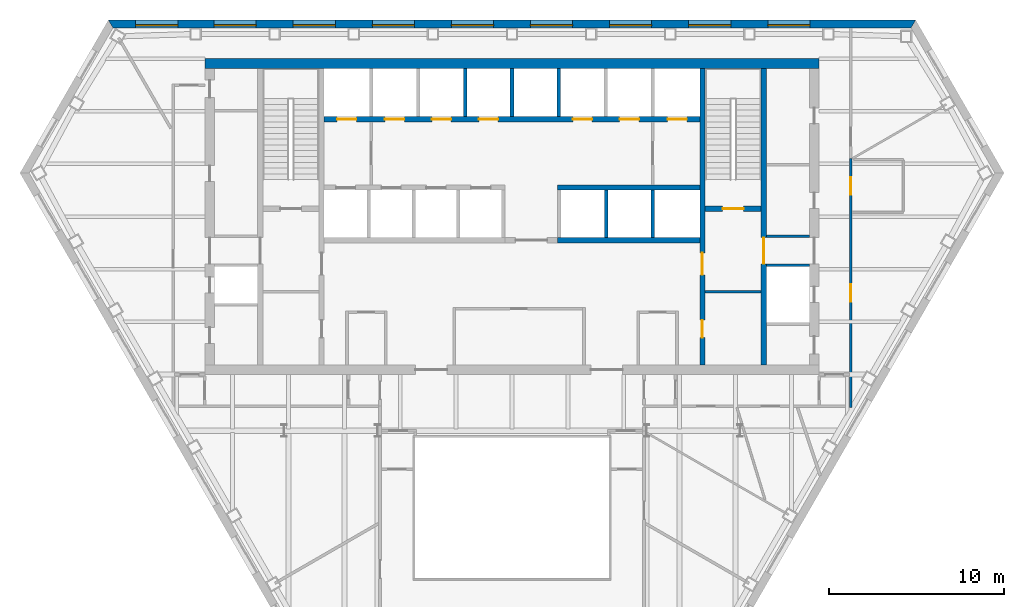
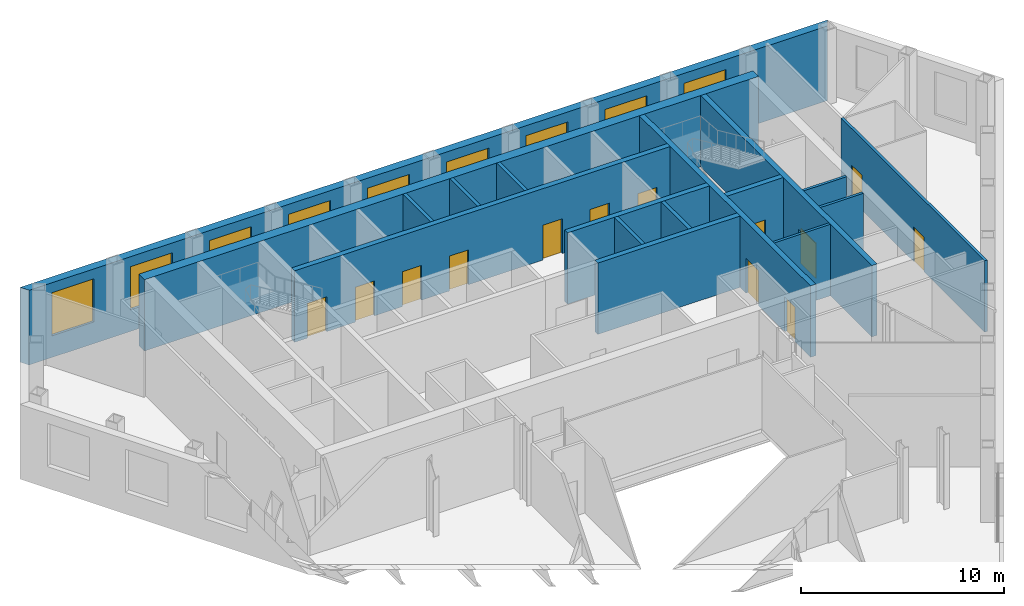
# One storey, part 7 of 11: 17 walls, 13 doors, 9 windows, 22 openings.
"""IFC4 building model written with IfcOpenShell, lengths in metres."""

from ifc_helpers import new_model, si_unit, direction, frame, frame_2d, origin, place, context, subcontext, project, spatial, polyline, rectangle, outline, extrude, material, layer, layer_set, type_object, element, fill, save


model = new_model("IFC4")

# Units and contexts
model_context = context("Model", 3, precision=1e-05, world=origin(), true_north=direction((0.0, 1.0)))
body_context = subcontext(model_context, "Body", "Model", "MODEL_VIEW")
ifc_project = project(units=[si_unit("LENGTHUNIT", "METRE"), si_unit("AREAUNIT", "SQUARE_METRE"), si_unit("VOLUMEUNIT", "CUBIC_METRE"), si_unit("PLANEANGLEUNIT", "RADIAN"), si_unit("MASSUNIT", "GRAM", prefix="KILO")], contexts=[model_context])

# Site, building, storey
site_placement = place(None, origin())
site = spatial("IfcSite", under=ifc_project, at=site_placement, CompositionType="ELEMENT")
building_placement = place(site_placement, origin())
building = spatial("IfcBuilding", under=site, at=building_placement, Name="Njiva Tower", CompositionType="ELEMENT")
storey_placement = place(building_placement, frame((0.0, 0.0, 102.3)))
storey = spatial("IfcBuildingStorey", under=building, at=storey_placement, Name="L21", CompositionType="ELEMENT", Elevation=102.3)

# Wall
ifc_material_1 = material(Name="Blockwork", Category="masonry")
ifc_layer_1 = layer(ifc_material_1, 0.15)
ifc_layer_set_1 = layer_set([ifc_layer_1], Name="Blockwork")
wall_type_1 = type_object("IfcWallType", Name="WT1 Compartment partition 150", PredefinedType="PARTITIONING", material=ifc_layer_set_1)
wall_1_placement = place(storey_placement, frame((11.0, 4.725, 0.0), z_axis=(0.0, 0.0, 1.0), x_axis=(1.0, 0.0, 0.0)))
element("IfcWall", 1, at=wall_1_placement, inside=storey, type_object=wall_type_1, Name="Room wall B", PredefinedType="PARTITIONING", context=body_context, shape_type="SweptSolid", body=[
    extrude(rectangle(XDim=3.2, YDim=0.15, at=frame_2d((1.6, 0.0))), origin(), (0.0, 0.0, 1.0), 4.3),
])

# Wall, openings, doors
ifc_material_2 = material(Name="Concrete C40/50", Category="concrete")
ifc_layer_2 = layer(ifc_material_2, 0.3)
ifc_layer_set_2 = layer_set([ifc_layer_2], Name="Concrete C40/50")
wall_type_2 = type_object("IfcWallType", Name="WT10 Stair enclosure wall 300", PredefinedType="SHEAR", material=ifc_layer_set_2)
wall_2_placement = place(storey_placement, frame((10.85, 0.55, 0.0), z_axis=(0.0, 0.0, 1.0), x_axis=(0.0, 1.0, 0.0)))
wall_2 = element("IfcWall", 2, at=wall_2_placement, inside=storey, type_object=wall_type_2, Name="Stair wall east inner", PredefinedType="SHEAR", context=body_context, shape_type="SweptSolid", body=[
    extrude(rectangle(XDim=16.9, YDim=0.3, at=frame_2d((8.45, 0.0))), origin(), (0.0, 0.0, 1.0), 4.3),
])
opening_1_placement = place(wall_2_placement, frame((5.125, 0.0, 0.0)))
opening_1 = element("IfcOpeningElement", 3, at=opening_1_placement, cuts=wall_2, Name="Opening S07-D918", PredefinedType="OPENING", context=body_context, shape_type="SweptSolid", body=[
    extrude(rectangle(XDim=1.25, YDim=2.1, at=frame_2d((0.625, 1.05))), frame((0.0, 0.16, 0.0), z_axis=(0.0, -1.0, 0.0), x_axis=(1.0, 0.0, 0.0)), (0.0, 0.0, 1.0), 0.32),
])
opening_2_placement = place(wall_2_placement, frame((1.55, 0.0, 0.0)))
opening_2 = element("IfcOpeningElement", 4, at=opening_2_placement, cuts=wall_2, Name="Opening S07-D919", PredefinedType="OPENING", context=body_context, shape_type="SweptSolid", body=[
    extrude(rectangle(XDim=1.0, YDim=2.1, at=frame_2d((0.5, 1.05))), frame((0.0, 0.16, 0.0), z_axis=(0.0, -1.0, 0.0), x_axis=(1.0, 0.0, 0.0)), (0.0, 0.0, 1.0), 0.32),
])
ifc_material_3 = material(Name="Steel door, painted", Category="steel")
door_type_1 = type_object("IfcDoorType", Name="D5 Steel door 1000x2100", OperationType="SINGLE_SWING_LEFT", PredefinedType="DOOR", material=ifc_material_3)
door_1_placement = place(opening_2_placement, origin())
door_1 = element("IfcDoor", 5, at=door_1_placement, inside=storey, type_object=door_type_1, Name="Breakout room door", OperationType="SINGLE_SWING_LEFT", OverallHeight=2.1, OverallWidth=1.0, PredefinedType="DOOR", context=body_context, shape_type="SweptSolid", body=[
    extrude(rectangle(XDim=1.0, YDim=2.1, at=frame_2d((0.5, 1.05))), frame((0.0, 0.025, 0.0), z_axis=(0.0, -1.0, 0.0), x_axis=(1.0, 0.0, 0.0)), (0.0, 0.0, 1.0), 0.05),
])
fill(opening_2, door_1)
ifc_material_4 = material(Name="Glazed steel fire door", Category="steel")
door_type_2 = type_object("IfcDoorType", Name="D8 Vestibule corridor door 1250x2100 glazed", OperationType="SINGLE_SWING_LEFT", PredefinedType="DOOR", material=ifc_material_4)
door_2_placement = place(opening_1_placement, origin())
door_2 = element("IfcDoor", 6, at=door_2_placement, inside=storey, type_object=door_type_2, Name="Stair vestibule corridor door", OperationType="SINGLE_SWING_RIGHT", OverallHeight=2.1, OverallWidth=1.25, PredefinedType="DOOR", context=body_context, shape_type="SweptSolid", body=[
    extrude(rectangle(XDim=1.25, YDim=2.1, at=frame_2d((0.625, 1.05))), frame((0.0, 0.025, 0.0), z_axis=(0.0, -1.0, 0.0), x_axis=(1.0, 0.0, 0.0)), (0.0, 0.0, 1.0), 0.05),
])
fill(opening_1, door_2)

# Wall, opening, door
wall_3_placement = place(storey_placement, frame((14.35, 0.55, 0.0), z_axis=(0.0, 0.0, 1.0), x_axis=(0.0, 1.0, 0.0)))
wall_3 = element("IfcWall", 7, at=wall_3_placement, inside=storey, type_object=wall_type_2, Name="Stair wall east outer", PredefinedType="SHEAR", context=body_context, shape_type="SweptSolid", body=[
    extrude(rectangle(XDim=16.9, YDim=0.3, at=frame_2d((8.45, 0.0))), origin(), (0.0, 0.0, 1.0), 4.3),
])
opening_3_placement = place(wall_3_placement, frame((5.75, 0.0, 0.0)))
opening_3 = element("IfcOpeningElement", 8, at=opening_3_placement, cuts=wall_3, Name="Opening S07-D926", PredefinedType="OPENING", context=body_context, shape_type="SweptSolid", body=[
    extrude(rectangle(XDim=1.5, YDim=2.1, at=frame_2d((0.75, 1.05))), frame((0.0, 0.16, 0.0), z_axis=(0.0, -1.0, 0.0), x_axis=(1.0, 0.0, 0.0)), (0.0, 0.0, 1.0), 0.32),
])
door_type_3 = type_object("IfcDoorType", Name="D10 Exit door double 1500x2100 glazed", OperationType="DOUBLE_DOOR_SINGLE_SWING", PredefinedType="DOOR", material=ifc_material_4)
door_3_placement = place(opening_3_placement, origin())
door_3 = element("IfcDoor", 9, at=door_3_placement, inside=storey, type_object=door_type_3, Name="Stair B passage door", OperationType="DOUBLE_DOOR_SINGLE_SWING", OverallHeight=2.1, OverallWidth=1.5, PredefinedType="DOOR", context=body_context, shape_type="SweptSolid", body=[
    extrude(rectangle(XDim=1.5, YDim=2.1, at=frame_2d((0.75, 1.05))), frame((0.0, 0.025, 0.0), z_axis=(0.0, -1.0, 0.0), x_axis=(1.0, 0.0, 0.0)), (0.0, 0.0, 1.0), 0.05),
])
fill(opening_3, door_3)

wall_4_placement = place(storey_placement, frame((11.0, 9.45, 0.0), z_axis=(0.0, 0.0, 1.0), x_axis=(1.0, 0.0, 0.0)))
wall_4 = element("IfcWall", 10, at=wall_4_placement, inside=storey, type_object=wall_type_2, Name="Stair B south wall", PredefinedType="SHEAR", context=body_context, shape_type="SweptSolid", body=[
    extrude(rectangle(XDim=3.2, YDim=0.3, at=frame_2d((1.6, 0.0))), origin(), (0.0, 0.0, 1.0), 4.3),
])
opening_4_placement = place(wall_4_placement, frame((1.0, 0.0, 0.0)))
opening_4 = element("IfcOpeningElement", 11, at=opening_4_placement, cuts=wall_4, Name="Opening S07-D917", PredefinedType="OPENING", context=body_context, shape_type="SweptSolid", body=[
    extrude(rectangle(XDim=1.2, YDim=2.1, at=frame_2d((0.6, 1.05))), frame((0.0, 0.16, 0.0), z_axis=(0.0, -1.0, 0.0), x_axis=(1.0, 0.0, 0.0)), (0.0, 0.0, 1.0), 0.32),
])
door_type_4 = type_object("IfcDoorType", Name="D7 Stair vestibule door 1200x2100 glazed", OperationType="SINGLE_SWING_LEFT", PredefinedType="DOOR", material=ifc_material_4)
door_4_placement = place(opening_4_placement, origin())
door_4 = element("IfcDoor", 12, at=door_4_placement, inside=storey, type_object=door_type_4, Name="Stair B door", OperationType="SINGLE_SWING_LEFT", OverallHeight=2.1, OverallWidth=1.2, PredefinedType="DOOR", context=body_context, shape_type="SweptSolid", body=[
    extrude(rectangle(XDim=1.2, YDim=2.1, at=frame_2d((0.6, 1.05))), frame((0.0, 0.025, 0.0), z_axis=(0.0, -1.0, 0.0), x_axis=(1.0, 0.0, 0.0)), (0.0, 0.0, 1.0), 0.05),
])
fill(opening_4, door_4)

# Wall
ifc_material_5 = material(Name="Concrete C60/75", Category="concrete")
ifc_layer_3 = layer(ifc_material_5, 0.55)
ifc_layer_set_3 = layer_set([ifc_layer_3], Name="Concrete C60/75")
wall_type_3 = type_object("IfcWallType", Name="WT14 Core wall 550", PredefinedType="SHEAR", material=ifc_layer_set_3)
wall_5_placement = place(storey_placement, frame((-17.5, 17.725, 0.0), z_axis=(0.0, 0.0, 1.0), x_axis=(1.0, 0.0, 0.0)))
element("IfcWall", 13, at=wall_5_placement, inside=storey, type_object=wall_type_3, Name="Core wall north", PredefinedType="SHEAR", context=body_context, shape_type="SweptSolid", body=[
    extrude(rectangle(XDim=35.0, YDim=0.55, at=frame_2d((17.5, 0.0))), origin(), (0.0, 0.0, 1.0), 4.3),
])

# Wall, openings, doors
ifc_material_6 = material(Name="Gypsum board on steel studs", Category="gypsum")
ifc_layer_4 = layer(ifc_material_6, 0.15)
ifc_layer_set_4 = layer_set([ifc_layer_4], Name="Gypsum board on steel studs")
wall_type_4 = type_object("IfcWallType", Name="WT21 Compartment wall 150", PredefinedType="PARTITIONING", material=ifc_layer_set_4)
wall_6_placement = place(storey_placement, frame((19.3, -1.875, 0.0), z_axis=(0.0, 0.0, 1.0), x_axis=(0.0, 1.0, 0.0)))
wall_6 = element("IfcWall", 14, at=wall_6_placement, inside=storey, type_object=wall_type_4, Name="Partition S07-P030", PredefinedType="PARTITIONING", context=body_context, shape_type="SweptSolid", body=[
    extrude(rectangle(XDim=14.173, YDim=0.15, at=frame_2d((7.0865, 0.0))), origin(), (0.0, 0.0, 1.0), 4.3),
])
opening_5_placement = place(wall_6_placement, frame((6.011, 0.0, 0.0)))
opening_5 = element("IfcOpeningElement", 15, at=opening_5_placement, cuts=wall_6, Name="Opening S07-D019", PredefinedType="OPENING", context=body_context, shape_type="SweptSolid", body=[
    extrude(rectangle(XDim=1.0, YDim=2.1, at=frame_2d((0.5, 1.05))), frame((0.0, 0.085, 0.0), z_axis=(0.0, -1.0, 0.0), x_axis=(1.0, 0.0, 0.0)), (0.0, 0.0, 1.0), 0.17),
])
opening_6_placement = place(wall_6_placement, frame((12.123, 0.0, 0.0)))
opening_6 = element("IfcOpeningElement", 16, at=opening_6_placement, cuts=wall_6, Name="Opening S07-D020", PredefinedType="OPENING", context=body_context, shape_type="SweptSolid", body=[
    extrude(rectangle(XDim=1.0, YDim=2.1, at=frame_2d((0.5, 1.05))), frame((0.0, 0.085, 0.0), z_axis=(0.0, -1.0, 0.0), x_axis=(1.0, 0.0, 0.0)), (0.0, 0.0, 1.0), 0.17),
])
ifc_material_7 = material(Name="Steel fire door set", Category="steel")
door_type_5 = type_object("IfcDoorType", Name="D37 Fire door 1000x2100", OperationType="SINGLE_SWING_LEFT", PredefinedType="DOOR", material=ifc_material_7)
door_5_placement = place(opening_5_placement, origin())
door_5 = element("IfcDoor", 17, at=door_5_placement, inside=storey, type_object=door_type_5, Name="Door S07-D019", OperationType="SINGLE_SWING_LEFT", OverallHeight=2.1, OverallWidth=1.0, PredefinedType="DOOR", context=body_context, shape_type="SweptSolid", body=[
    extrude(rectangle(XDim=1.0, YDim=2.1, at=frame_2d((0.5, 1.05))), frame((0.0, 0.025, 0.0), z_axis=(0.0, -1.0, 0.0), x_axis=(1.0, 0.0, 0.0)), (0.0, 0.0, 1.0), 0.05),
])
fill(opening_5, door_5)
door_6_placement = place(opening_6_placement, origin())
door_6 = element("IfcDoor", 18, at=door_6_placement, inside=storey, type_object=door_type_5, Name="Door S07-D020", OperationType="SINGLE_SWING_RIGHT", OverallHeight=2.1, OverallWidth=1.0, PredefinedType="DOOR", context=body_context, shape_type="SweptSolid", body=[
    extrude(rectangle(XDim=1.0, YDim=2.1, at=frame_2d((0.5, 1.05))), frame((0.0, 0.025, 0.0), z_axis=(0.0, -1.0, 0.0), x_axis=(1.0, 0.0, 0.0)), (0.0, 0.0, 1.0), 0.05),
])
fill(opening_6, door_6)

# Walls
ifc_layer_5 = layer(ifc_material_1, 0.15)
ifc_layer_set_5 = layer_set([ifc_layer_5], Name="Blockwork")
wall_type_5 = type_object("IfcWallType", Name="WT4 Stair partition 150", PredefinedType="PARTITIONING", material=ifc_layer_set_5)
for number, where, z_axis, x_axis, name in (
    (19, (14.5, 6.225, 0.0), (0.0, 0.0, 1.0), (1.0, 0.0, 0.0), "Stair B exit passage wall south"),
    (20, (14.5, 7.875, 0.0), (0.0, 0.0, 1.0), (1.0, 0.0, 0.0), "Stair B exit passage wall north"),
):
    element("IfcWall", number, at=place(storey_placement, frame(where, z_axis=z_axis, x_axis=x_axis)), inside=storey, type_object=wall_type_5, Name=name, PredefinedType="PARTITIONING", context=body_context, shape_type="SweptSolid", body=[
        extrude(rectangle(XDim=2.45, YDim=0.15, at=frame_2d((1.225, 0.0))), origin(), (0.0, 0.0, 1.0), 4.3),
    ])
ifc_layer_6 = layer(ifc_material_2, 0.2)
ifc_layer_set_6 = layer_set([ifc_layer_6], Name="Concrete C40/50")
wall_type_6 = type_object("IfcWallType", Name="WT6 Lift shaft wall 200", PredefinedType="SHEAR", material=ifc_layer_set_6)
for number, where, z_axis, x_axis, name in (
    (21, (-2.675, 14.7, 0.0), (0.0, 0.0, 1.0), (0.0, 1.0, 0.0), "Shaft wall CN3"),
    (22, (0.0, 14.7, 0.0), (0.0, 0.0, 1.0), (0.0, 1.0, 0.0), "Shaft wall CN4"),
    (23, (2.675, 14.7, 0.0), (0.0, 0.0, 1.0), (0.0, 1.0, 0.0), "Shaft wall CN5"),
):
    element("IfcWall", number, at=place(storey_placement, frame(where, z_axis=z_axis, x_axis=x_axis)), inside=storey, type_object=wall_type_6, Name=name, PredefinedType="SHEAR", context=body_context, shape_type="SweptSolid", body=[
        extrude(rectangle(XDim=2.75, YDim=0.2, at=frame_2d((1.375, 0.0))), origin(), (0.0, 0.0, 1.0), 4.3),
    ])
for number, where, z_axis, x_axis, name in (
    (24, (5.3667, 7.8, 0.0), (0.0, 0.0, 1.0), (0.0, 1.0, 0.0), "Shaft wall CS6"),
    (25, (8.0333, 7.8, 0.0), (0.0, 0.0, 1.0), (0.0, 1.0, 0.0), "Shaft wall CS7"),
):
    element("IfcWall", number, at=place(storey_placement, frame(where, z_axis=z_axis, x_axis=x_axis)), inside=storey, type_object=wall_type_6, Name=name, PredefinedType="SHEAR", context=body_context, shape_type="SweptSolid", body=[
        extrude(rectangle(XDim=2.7, YDim=0.2, at=frame_2d((1.35, 0.0))), origin(), (0.0, 0.0, 1.0), 4.3),
    ])

# Wall, openings, doors
ifc_layer_7 = layer(ifc_material_2, 0.3)
ifc_layer_set_7 = layer_set([ifc_layer_7], Name="Concrete C40/50")
wall_type_7 = type_object("IfcWallType", Name="WT7 Lift shaft wall 300", PredefinedType="SHEAR", material=ifc_layer_set_7)
wall_7_placement = place(storey_placement, frame((-10.7, 14.55, 0.0), z_axis=(0.0, 0.0, 1.0), x_axis=(1.0, 0.0, 0.0)))
wall_7 = element("IfcWall", 26, at=wall_7_placement, inside=storey, type_object=wall_type_7, Name="Shaft wall north row lobby side", PredefinedType="SHEAR", context=body_context, shape_type="SweptSolid", body=[
    extrude(rectangle(XDim=21.4, YDim=0.3, at=frame_2d((10.7, 0.0))), origin(), (0.0, 0.0, 1.0), 4.3),
])
opening_7_placement = place(wall_7_placement, frame((0.7375, 0.0, 0.0)))
opening_7 = element("IfcOpeningElement", 27, at=opening_7_placement, cuts=wall_7, Name="Opening S07-D901", PredefinedType="OPENING", context=body_context, shape_type="SweptSolid", body=[
    extrude(rectangle(XDim=1.1, YDim=2.1, at=frame_2d((0.55, 1.05))), frame((0.0, 0.16, 0.0), z_axis=(0.0, -1.0, 0.0), x_axis=(1.0, 0.0, 0.0)), (0.0, 0.0, 1.0), 0.32),
])
opening_8_placement = place(wall_7_placement, frame((3.4625, 0.0, 0.0)))
opening_8 = element("IfcOpeningElement", 28, at=opening_8_placement, cuts=wall_7, Name="Opening S07-D902", PredefinedType="OPENING", context=body_context, shape_type="SweptSolid", body=[
    extrude(rectangle(XDim=1.1, YDim=2.1, at=frame_2d((0.55, 1.05))), frame((0.0, 0.16, 0.0), z_axis=(0.0, -1.0, 0.0), x_axis=(1.0, 0.0, 0.0)), (0.0, 0.0, 1.0), 0.32),
])
opening_9_placement = place(wall_7_placement, frame((6.1375, 0.0, 0.0)))
opening_9 = element("IfcOpeningElement", 29, at=opening_9_placement, cuts=wall_7, Name="Opening S07-D903", PredefinedType="OPENING", context=body_context, shape_type="SweptSolid", body=[
    extrude(rectangle(XDim=1.1, YDim=2.1, at=frame_2d((0.55, 1.05))), frame((0.0, 0.16, 0.0), z_axis=(0.0, -1.0, 0.0), x_axis=(1.0, 0.0, 0.0)), (0.0, 0.0, 1.0), 0.32),
])
opening_10_placement = place(wall_7_placement, frame((8.8125, 0.0, 0.0)))
opening_10 = element("IfcOpeningElement", 30, at=opening_10_placement, cuts=wall_7, Name="Opening S07-D904", PredefinedType="OPENING", context=body_context, shape_type="SweptSolid", body=[
    extrude(rectangle(XDim=1.1, YDim=2.1, at=frame_2d((0.55, 1.05))), frame((0.0, 0.16, 0.0), z_axis=(0.0, -1.0, 0.0), x_axis=(1.0, 0.0, 0.0)), (0.0, 0.0, 1.0), 0.32),
])
opening_11_placement = place(wall_7_placement, frame((14.1625, 0.0, 0.0)))
opening_11 = element("IfcOpeningElement", 31, at=opening_11_placement, cuts=wall_7, Name="Opening S07-D905", PredefinedType="OPENING", context=body_context, shape_type="SweptSolid", body=[
    extrude(rectangle(XDim=1.1, YDim=2.1, at=frame_2d((0.55, 1.05))), frame((0.0, 0.16, 0.0), z_axis=(0.0, -1.0, 0.0), x_axis=(1.0, 0.0, 0.0)), (0.0, 0.0, 1.0), 0.32),
])
opening_12_placement = place(wall_7_placement, frame((16.8375, 0.0, 0.0)))
opening_12 = element("IfcOpeningElement", 32, at=opening_12_placement, cuts=wall_7, Name="Opening S07-D906", PredefinedType="OPENING", context=body_context, shape_type="SweptSolid", body=[
    extrude(rectangle(XDim=1.1, YDim=2.1, at=frame_2d((0.55, 1.05))), frame((0.0, 0.16, 0.0), z_axis=(0.0, -1.0, 0.0), x_axis=(1.0, 0.0, 0.0)), (0.0, 0.0, 1.0), 0.32),
])
opening_13_placement = place(wall_7_placement, frame((19.5625, 0.0, 0.0)))
opening_13 = element("IfcOpeningElement", 33, at=opening_13_placement, cuts=wall_7, Name="Opening S07-D907", PredefinedType="OPENING", context=body_context, shape_type="SweptSolid", body=[
    extrude(rectangle(XDim=1.1, YDim=2.1, at=frame_2d((0.55, 1.05))), frame((0.0, 0.16, 0.0), z_axis=(0.0, -1.0, 0.0), x_axis=(1.0, 0.0, 0.0)), (0.0, 0.0, 1.0), 0.32),
])
ifc_material_8 = material(Name="Stainless steel sliding door", Category="steel")
door_type_6 = type_object("IfcDoorType", Name="LD Lift landing door 1100x2100", OperationType="SLIDING_TO_LEFT", PredefinedType="DOOR", material=ifc_material_8)
door_7_placement = place(opening_7_placement, origin())
door_7 = element("IfcDoor", 34, at=door_7_placement, inside=storey, type_object=door_type_6, Name="Lift landing door FF1", OperationType="SLIDING_TO_LEFT", OverallHeight=2.1, OverallWidth=1.1, PredefinedType="DOOR", context=body_context, shape_type="SweptSolid", body=[
    extrude(rectangle(XDim=1.1, YDim=2.1, at=frame_2d((0.55, 1.05))), frame((0.0, 0.025, 0.0), z_axis=(0.0, -1.0, 0.0), x_axis=(1.0, 0.0, 0.0)), (0.0, 0.0, 1.0), 0.05),
])
fill(opening_7, door_7)
door_8_placement = place(opening_8_placement, origin())
door_8 = element("IfcDoor", 35, at=door_8_placement, inside=storey, type_object=door_type_6, Name="Lift landing door LB1", OperationType="SLIDING_TO_LEFT", OverallHeight=2.1, OverallWidth=1.1, PredefinedType="DOOR", context=body_context, shape_type="SweptSolid", body=[
    extrude(rectangle(XDim=1.1, YDim=2.1, at=frame_2d((0.55, 1.05))), frame((0.0, 0.025, 0.0), z_axis=(0.0, -1.0, 0.0), x_axis=(1.0, 0.0, 0.0)), (0.0, 0.0, 1.0), 0.05),
])
fill(opening_8, door_8)
door_9_placement = place(opening_9_placement, origin())
door_9 = element("IfcDoor", 36, at=door_9_placement, inside=storey, type_object=door_type_6, Name="Lift landing door LB2", OperationType="SLIDING_TO_LEFT", OverallHeight=2.1, OverallWidth=1.1, PredefinedType="DOOR", context=body_context, shape_type="SweptSolid", body=[
    extrude(rectangle(XDim=1.1, YDim=2.1, at=frame_2d((0.55, 1.05))), frame((0.0, 0.025, 0.0), z_axis=(0.0, -1.0, 0.0), x_axis=(1.0, 0.0, 0.0)), (0.0, 0.0, 1.0), 0.05),
])
fill(opening_9, door_9)
door_10_placement = place(opening_10_placement, origin())
door_10 = element("IfcDoor", 37, at=door_10_placement, inside=storey, type_object=door_type_6, Name="Lift landing door LB3", OperationType="SLIDING_TO_LEFT", OverallHeight=2.1, OverallWidth=1.1, PredefinedType="DOOR", context=body_context, shape_type="SweptSolid", body=[
    extrude(rectangle(XDim=1.1, YDim=2.1, at=frame_2d((0.55, 1.05))), frame((0.0, 0.025, 0.0), z_axis=(0.0, -1.0, 0.0), x_axis=(1.0, 0.0, 0.0)), (0.0, 0.0, 1.0), 0.05),
])
fill(opening_10, door_10)
door_11_placement = place(opening_11_placement, origin())
door_11 = element("IfcDoor", 38, at=door_11_placement, inside=storey, type_object=door_type_6, Name="Lift landing door FR1", OperationType="SLIDING_TO_LEFT", OverallHeight=2.1, OverallWidth=1.1, PredefinedType="DOOR", context=body_context, shape_type="SweptSolid", body=[
    extrude(rectangle(XDim=1.1, YDim=2.1, at=frame_2d((0.55, 1.05))), frame((0.0, 0.025, 0.0), z_axis=(0.0, -1.0, 0.0), x_axis=(1.0, 0.0, 0.0)), (0.0, 0.0, 1.0), 0.05),
])
fill(opening_11, door_11)
door_12_placement = place(opening_12_placement, origin())
door_12 = element("IfcDoor", 39, at=door_12_placement, inside=storey, type_object=door_type_6, Name="Lift landing door FR2", OperationType="SLIDING_TO_LEFT", OverallHeight=2.1, OverallWidth=1.1, PredefinedType="DOOR", context=body_context, shape_type="SweptSolid", body=[
    extrude(rectangle(XDim=1.1, YDim=2.1, at=frame_2d((0.55, 1.05))), frame((0.0, 0.025, 0.0), z_axis=(0.0, -1.0, 0.0), x_axis=(1.0, 0.0, 0.0)), (0.0, 0.0, 1.0), 0.05),
])
fill(opening_12, door_12)
door_13_placement = place(opening_13_placement, origin())
door_13 = element("IfcDoor", 40, at=door_13_placement, inside=storey, type_object=door_type_6, Name="Lift landing door FF2", OperationType="SLIDING_TO_LEFT", OverallHeight=2.1, OverallWidth=1.1, PredefinedType="DOOR", context=body_context, shape_type="SweptSolid", body=[
    extrude(rectangle(XDim=1.1, YDim=2.1, at=frame_2d((0.55, 1.05))), frame((0.0, 0.025, 0.0), z_axis=(0.0, -1.0, 0.0), x_axis=(1.0, 0.0, 0.0)), (0.0, 0.0, 1.0), 0.05),
])
fill(opening_13, door_13)

# Walls
for number, where, z_axis, x_axis, name in (
    (41, (2.6, 10.65, 0.0), (0.0, 0.0, 1.0), (1.0, 0.0, 0.0), "Shaft wall south row lobby side E"),
    (42, (2.6, 7.65, 0.0), (0.0, 0.0, 1.0), (1.0, 0.0, 0.0), "Shaft wall south row back E"),
):
    element("IfcWall", number, at=place(storey_placement, frame(where, z_axis=z_axis, x_axis=x_axis)), inside=storey, type_object=wall_type_7, Name=name, PredefinedType="SHEAR", context=body_context, shape_type="SweptSolid", body=[
        extrude(rectangle(XDim=8.1, YDim=0.3, at=frame_2d((4.05, 0.0))), origin(), (0.0, 0.0, 1.0), 4.3),
    ])

# Wall, openings, windows
ifc_material_9 = material(Name="Brick masonry", Category="masonry")
ifc_layer_8 = layer(ifc_material_9, 0.45)
ifc_layer_set_8 = layer_set([ifc_layer_8], Name="Brick masonry")
wall_type_8 = type_object("IfcWallType", Name="WT90 Brick pier and spandrel wall 450", PredefinedType="SOLIDWALL", material=ifc_layer_set_8)
wall_8_placement = place(storey_placement, frame((22.8701, 19.975, -0.4), z_axis=(0.0, 0.0, 1.0), x_axis=(-1.0, 0.0, 0.0)))
wall_8 = element("IfcWall", 43, at=wall_8_placement, inside=storey, type_object=wall_type_8, Name="Facade wall N", PredefinedType="SOLIDWALL", context=body_context, shape_type="SweptSolid", body=[
    extrude(outline(polyline([(-0.1299, -0.225), (45.8701, -0.225), (45.6103, 0.225), (0.1299, 0.225), (-0.1299, -0.225)])), origin(), (0.0, 0.0, 1.0), 4.5),
])
opening_14_placement = place(wall_8_placement, frame((5.8934, 0.0, 1.3)))
opening_14 = element("IfcOpeningElement", 44, at=opening_14_placement, cuts=wall_8, Name="Opening S07-W01", PredefinedType="OPENING", context=body_context, shape_type="SweptSolid", body=[
    extrude(rectangle(XDim=2.4, YDim=2.6, at=frame_2d((1.2, 1.3))), frame((0.0, 0.235, 0.0), z_axis=(0.0, -1.0, 0.0), x_axis=(1.0, 0.0, 0.0)), (0.0, 0.0, 1.0), 0.47),
])
opening_15_placement = place(wall_8_placement, frame((10.401, 0.0, 1.3)))
opening_15 = element("IfcOpeningElement", 45, at=opening_15_placement, cuts=wall_8, Name="Opening S07-W02", PredefinedType="OPENING", context=body_context, shape_type="SweptSolid", body=[
    extrude(rectangle(XDim=2.4, YDim=2.6, at=frame_2d((1.2, 1.3))), frame((0.0, 0.235, 0.0), z_axis=(0.0, -1.0, 0.0), x_axis=(1.0, 0.0, 0.0)), (0.0, 0.0, 1.0), 0.47),
])
opening_16_placement = place(wall_8_placement, frame((14.9087, 0.0, 1.3)))
opening_16 = element("IfcOpeningElement", 46, at=opening_16_placement, cuts=wall_8, Name="Opening S07-W03", PredefinedType="OPENING", context=body_context, shape_type="SweptSolid", body=[
    extrude(rectangle(XDim=2.4, YDim=2.6, at=frame_2d((1.2, 1.3))), frame((0.0, 0.235, 0.0), z_axis=(0.0, -1.0, 0.0), x_axis=(1.0, 0.0, 0.0)), (0.0, 0.0, 1.0), 0.47),
])
opening_17_placement = place(wall_8_placement, frame((19.4163, 0.0, 1.3)))
opening_17 = element("IfcOpeningElement", 47, at=opening_17_placement, cuts=wall_8, Name="Opening S07-W04", PredefinedType="OPENING", context=body_context, shape_type="SweptSolid", body=[
    extrude(rectangle(XDim=2.4, YDim=2.6, at=frame_2d((1.2, 1.3))), frame((0.0, 0.235, 0.0), z_axis=(0.0, -1.0, 0.0), x_axis=(1.0, 0.0, 0.0)), (0.0, 0.0, 1.0), 0.47),
])
opening_18_placement = place(wall_8_placement, frame((23.9239, 0.0, 1.3)))
opening_18 = element("IfcOpeningElement", 48, at=opening_18_placement, cuts=wall_8, Name="Opening S07-W05", PredefinedType="OPENING", context=body_context, shape_type="SweptSolid", body=[
    extrude(rectangle(XDim=2.4, YDim=2.6, at=frame_2d((1.2, 1.3))), frame((0.0, 0.235, 0.0), z_axis=(0.0, -1.0, 0.0), x_axis=(1.0, 0.0, 0.0)), (0.0, 0.0, 1.0), 0.47),
])
opening_19_placement = place(wall_8_placement, frame((28.4315, 0.0, 1.3)))
opening_19 = element("IfcOpeningElement", 49, at=opening_19_placement, cuts=wall_8, Name="Opening S07-W06", PredefinedType="OPENING", context=body_context, shape_type="SweptSolid", body=[
    extrude(rectangle(XDim=2.4, YDim=2.6, at=frame_2d((1.2, 1.3))), frame((0.0, 0.235, 0.0), z_axis=(0.0, -1.0, 0.0), x_axis=(1.0, 0.0, 0.0)), (0.0, 0.0, 1.0), 0.47),
])
opening_20_placement = place(wall_8_placement, frame((32.9391, 0.0, 1.3)))
opening_20 = element("IfcOpeningElement", 50, at=opening_20_placement, cuts=wall_8, Name="Opening S07-W07", PredefinedType="OPENING", context=body_context, shape_type="SweptSolid", body=[
    extrude(rectangle(XDim=2.4, YDim=2.6, at=frame_2d((1.2, 1.3))), frame((0.0, 0.235, 0.0), z_axis=(0.0, -1.0, 0.0), x_axis=(1.0, 0.0, 0.0)), (0.0, 0.0, 1.0), 0.47),
])
opening_21_placement = place(wall_8_placement, frame((37.4468, 0.0, 1.3)))
opening_21 = element("IfcOpeningElement", 51, at=opening_21_placement, cuts=wall_8, Name="Opening S07-W08", PredefinedType="OPENING", context=body_context, shape_type="SweptSolid", body=[
    extrude(rectangle(XDim=2.4, YDim=2.6, at=frame_2d((1.2, 1.3))), frame((0.0, 0.235, 0.0), z_axis=(0.0, -1.0, 0.0), x_axis=(1.0, 0.0, 0.0)), (0.0, 0.0, 1.0), 0.47),
])
opening_22_placement = place(wall_8_placement, frame((41.916, 0.0, 1.3)))
opening_22 = element("IfcOpeningElement", 52, at=opening_22_placement, cuts=wall_8, Name="Opening S07-W09", PredefinedType="OPENING", context=body_context, shape_type="SweptSolid", body=[
    extrude(rectangle(XDim=2.4, YDim=2.6, at=frame_2d((1.2, 1.3))), frame((0.0, 0.235, 0.0), z_axis=(0.0, -1.0, 0.0), x_axis=(1.0, 0.0, 0.0)), (0.0, 0.0, 1.0), 0.47),
])
ifc_material_10 = material(Name="Clear glazing in aluminium frame", Category="aluminium")
window_type = type_object("IfcWindowType", Name="W92 Deep-set window 2400x2600", PartitioningType="SINGLE_PANEL", PredefinedType="WINDOW", material=ifc_material_10)
window_1_placement = place(opening_14_placement, origin())
window_1 = element("IfcWindow", 53, at=window_1_placement, inside=storey, type_object=window_type, Name="Window", OverallHeight=2.6, OverallWidth=2.4, PartitioningType="SINGLE_PANEL", PredefinedType="WINDOW", context=body_context, shape_type="SweptSolid", body=[
    extrude(rectangle(XDim=2.4, YDim=2.6, at=frame_2d((1.2, 1.3))), frame((0.0, 0.105, 0.0), z_axis=(0.0, -1.0, 0.0), x_axis=(1.0, 0.0, 0.0)), (0.0, 0.0, 1.0), 0.06),
])
fill(opening_14, window_1)
window_2_placement = place(opening_15_placement, origin())
window_2 = element("IfcWindow", 54, at=window_2_placement, inside=storey, type_object=window_type, Name="Window", OverallHeight=2.6, OverallWidth=2.4, PartitioningType="SINGLE_PANEL", PredefinedType="WINDOW", context=body_context, shape_type="SweptSolid", body=[
    extrude(rectangle(XDim=2.4, YDim=2.6, at=frame_2d((1.2, 1.3))), frame((0.0, 0.105, 0.0), z_axis=(0.0, -1.0, 0.0), x_axis=(1.0, 0.0, 0.0)), (0.0, 0.0, 1.0), 0.06),
])
fill(opening_15, window_2)
window_3_placement = place(opening_16_placement, origin())
window_3 = element("IfcWindow", 55, at=window_3_placement, inside=storey, type_object=window_type, Name="Window", OverallHeight=2.6, OverallWidth=2.4, PartitioningType="SINGLE_PANEL", PredefinedType="WINDOW", context=body_context, shape_type="SweptSolid", body=[
    extrude(rectangle(XDim=2.4, YDim=2.6, at=frame_2d((1.2, 1.3))), frame((0.0, 0.105, 0.0), z_axis=(0.0, -1.0, 0.0), x_axis=(1.0, 0.0, 0.0)), (0.0, 0.0, 1.0), 0.06),
])
fill(opening_16, window_3)
window_4_placement = place(opening_17_placement, origin())
window_4 = element("IfcWindow", 56, at=window_4_placement, inside=storey, type_object=window_type, Name="Window", OverallHeight=2.6, OverallWidth=2.4, PartitioningType="SINGLE_PANEL", PredefinedType="WINDOW", context=body_context, shape_type="SweptSolid", body=[
    extrude(rectangle(XDim=2.4, YDim=2.6, at=frame_2d((1.2, 1.3))), frame((0.0, 0.105, 0.0), z_axis=(0.0, -1.0, 0.0), x_axis=(1.0, 0.0, 0.0)), (0.0, 0.0, 1.0), 0.06),
])
fill(opening_17, window_4)
window_5_placement = place(opening_18_placement, origin())
window_5 = element("IfcWindow", 57, at=window_5_placement, inside=storey, type_object=window_type, Name="Window", OverallHeight=2.6, OverallWidth=2.4, PartitioningType="SINGLE_PANEL", PredefinedType="WINDOW", context=body_context, shape_type="SweptSolid", body=[
    extrude(rectangle(XDim=2.4, YDim=2.6, at=frame_2d((1.2, 1.3))), frame((0.0, 0.105, 0.0), z_axis=(0.0, -1.0, 0.0), x_axis=(1.0, 0.0, 0.0)), (0.0, 0.0, 1.0), 0.06),
])
fill(opening_18, window_5)
window_6_placement = place(opening_19_placement, origin())
window_6 = element("IfcWindow", 58, at=window_6_placement, inside=storey, type_object=window_type, Name="Window", OverallHeight=2.6, OverallWidth=2.4, PartitioningType="SINGLE_PANEL", PredefinedType="WINDOW", context=body_context, shape_type="SweptSolid", body=[
    extrude(rectangle(XDim=2.4, YDim=2.6, at=frame_2d((1.2, 1.3))), frame((0.0, 0.105, 0.0), z_axis=(0.0, -1.0, 0.0), x_axis=(1.0, 0.0, 0.0)), (0.0, 0.0, 1.0), 0.06),
])
fill(opening_19, window_6)
window_7_placement = place(opening_20_placement, origin())
window_7 = element("IfcWindow", 59, at=window_7_placement, inside=storey, type_object=window_type, Name="Window", OverallHeight=2.6, OverallWidth=2.4, PartitioningType="SINGLE_PANEL", PredefinedType="WINDOW", context=body_context, shape_type="SweptSolid", body=[
    extrude(rectangle(XDim=2.4, YDim=2.6, at=frame_2d((1.2, 1.3))), frame((0.0, 0.105, 0.0), z_axis=(0.0, -1.0, 0.0), x_axis=(1.0, 0.0, 0.0)), (0.0, 0.0, 1.0), 0.06),
])
fill(opening_20, window_7)
window_8_placement = place(opening_21_placement, origin())
window_8 = element("IfcWindow", 60, at=window_8_placement, inside=storey, type_object=window_type, Name="Window", OverallHeight=2.6, OverallWidth=2.4, PartitioningType="SINGLE_PANEL", PredefinedType="WINDOW", context=body_context, shape_type="SweptSolid", body=[
    extrude(rectangle(XDim=2.4, YDim=2.6, at=frame_2d((1.2, 1.3))), frame((0.0, 0.105, 0.0), z_axis=(0.0, -1.0, 0.0), x_axis=(1.0, 0.0, 0.0)), (0.0, 0.0, 1.0), 0.06),
])
fill(opening_21, window_8)
window_9_placement = place(opening_22_placement, origin())
window_9 = element("IfcWindow", 61, at=window_9_placement, inside=storey, type_object=window_type, Name="Window", OverallHeight=2.6, OverallWidth=2.4, PartitioningType="SINGLE_PANEL", PredefinedType="WINDOW", context=body_context, shape_type="SweptSolid", body=[
    extrude(rectangle(XDim=2.4, YDim=2.6, at=frame_2d((1.2, 1.3))), frame((0.0, 0.105, 0.0), z_axis=(0.0, -1.0, 0.0), x_axis=(1.0, 0.0, 0.0)), (0.0, 0.0, 1.0), 0.06),
])
fill(opening_22, window_9)

save(model, "model.ifc")
